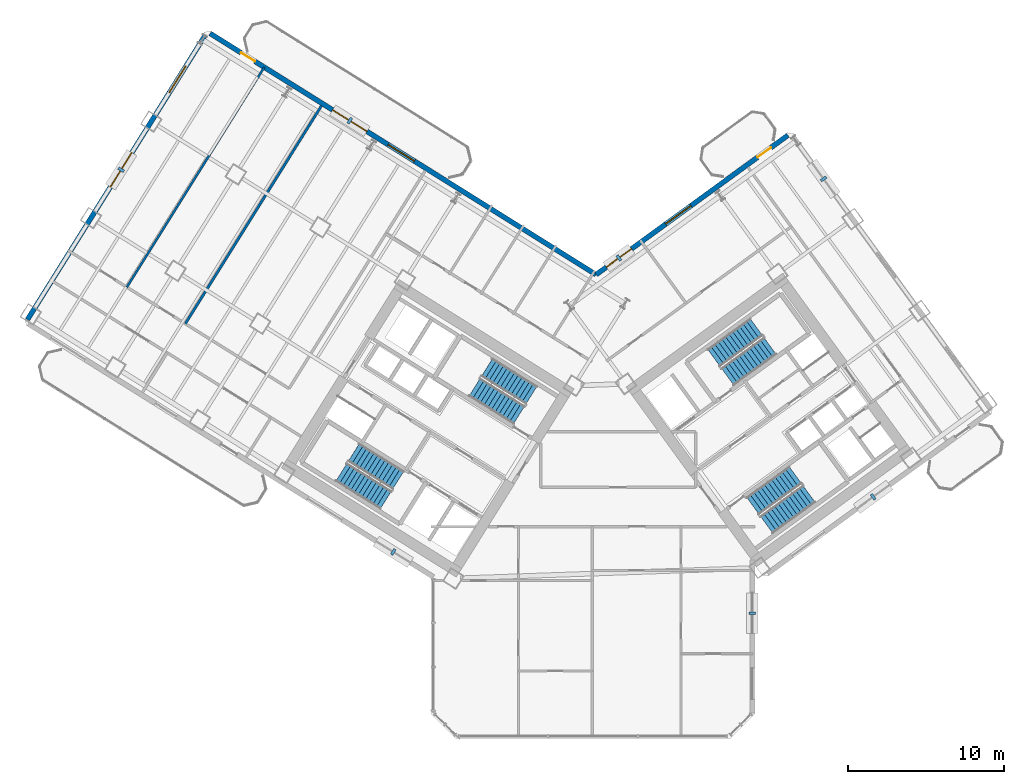
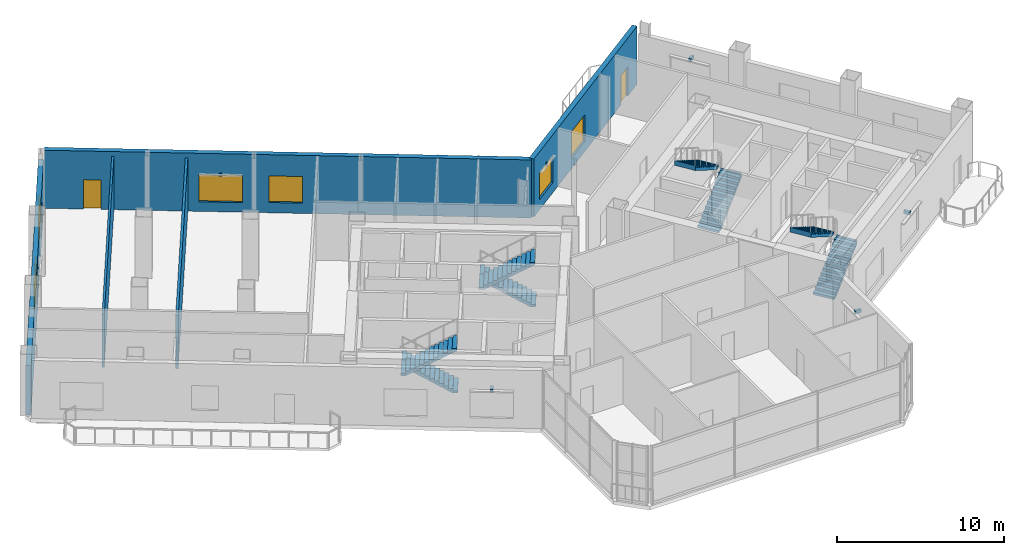
# One storey, part 15 of 19: 8 stair flights, 7 discrete accessories, 6 windows, 5 walls, 2 doors, 8 openings, 4 elements without a shape of their own.
"""IFC4 building model written with IfcOpenShell, lengths in metres."""

from ifc_helpers import new_model, si_unit, direction, frame, frame_2d, origin, origin_2d, place, context, subcontext, project, spatial, polyline, rectangle, outline, extrude, source, transform, mapped, material, layer, layer_set, type_object, element, fill, aggregate, save


model = new_model("IFC4")

# Units and contexts
model_context = context("Model", 3, precision=1e-05, world=origin(), true_north=direction((0.0, 1.0)))
body_context = subcontext(model_context, "Body", "Model", "MODEL_VIEW")
ifc_project = project(units=[si_unit("LENGTHUNIT", "METRE"), si_unit("AREAUNIT", "SQUARE_METRE"), si_unit("VOLUMEUNIT", "CUBIC_METRE"), si_unit("PLANEANGLEUNIT", "RADIAN"), si_unit("MASSUNIT", "GRAM", prefix="KILO")], contexts=[model_context])

# Site, building, storey
site_placement = place(None, origin())
site = spatial("IfcSite", under=ifc_project, at=site_placement, CompositionType="ELEMENT")
building_placement = place(site_placement, origin())
building = spatial("IfcBuilding", under=site, at=building_placement, Name="Tlacorven Tower", CompositionType="ELEMENT")
storey_placement = place(building_placement, frame((0.0, 0.0, 76.5)))
storey = spatial("IfcBuildingStorey", under=building, at=storey_placement, Name="L19", CompositionType="ELEMENT", Elevation=76.5)

# Wall
ifc_material_1 = material(Name="Gypsum plasterboard acoustic partition", Category="gypsum")
ifc_layer_1 = layer(ifc_material_1, 0.159912109375)
ifc_layer_set_1 = layer_set([ifc_layer_1], Name="Gypsum plasterboard acoustic partition")
wall_type_1 = type_object("IfcWallType", Name="WL-DEM-160", PredefinedType="PARTITIONING", material=ifc_layer_set_1)
wall_1_placement = place(storey_placement, frame((24.5771484375, 42.4365234375, 0.0), z_axis=(0.0, 0.0, 1.0), x_axis=(-0.52991514706, -0.848050668838, 0.0)))
element("IfcWall", 1, at=wall_1_placement, inside=storey, type_object=wall_type_1, Name="L19 partition 54", PredefinedType="PARTITIONING", context=body_context, shape_type="SweptSolid", body=[
    extrude(rectangle(XDim=16.5, YDim=0.159912109375, at=frame_2d((8.25, 0.0))), origin(), (0.0, 0.0, 1.0), 3.89501953125),
])

# Wall, openings, windows
ifc_material_2 = material(Name="Precast concrete C45/55", Category="concrete")
ifc_layer_2 = layer(ifc_material_2, 0.320068359375)
ifc_layer_set_2 = layer_set([ifc_layer_2], Name="Precast concrete C45/55")
wall_type_2 = type_object("IfcWallType", Name="WL-EXT-320", PredefinedType="STANDARD", material=ifc_layer_set_2)
wall_2_placement = place(storey_placement, frame((5.699951171875, 28.71044921875, 0.0), z_axis=(0.0, 0.0, 1.0), x_axis=(0.529923711467, 0.8480453172, 0.0)))
wall_2 = element("IfcWall", 2, at=wall_2_placement, inside=storey, type_object=wall_type_2, Name="L19 Masonry-Frame Recessed Facade Wall 2", PredefinedType="STANDARD", context=body_context, shape_type="SweptSolid", body=[
    extrude(rectangle(XDim=21.58740234375, YDim=0.320068359375, at=frame_2d((10.793701171875, 0.0))), origin(), (0.0, 0.0, 1.0), 3.625),
])
opening_1_placement = place(wall_2_placement, frame((10.043701171875, 0.0, 0.699951171875)))
opening_1 = element("IfcOpeningElement", 3, at=opening_1_placement, cuts=wall_2, Name="Opening WN10", PredefinedType="OPENING", context=body_context, shape_type="SweptSolid", body=[
    extrude(rectangle(XDim=2.60009765625, YDim=2.0, at=frame_2d((1.300048828125, 1.0))), frame((0.0, 0.169921875, 0.0), z_axis=(0.0, -1.0, 0.0), x_axis=(1.0, 0.0, 0.0)), (0.0, 0.0, 1.0), 0.340087890625),
])
opening_2_placement = place(wall_2_placement, frame((17.18115234375, 0.0, 0.75)))
opening_2 = element("IfcOpeningElement", 4, at=opening_2_placement, cuts=wall_2, Name="Opening WN11", PredefinedType="OPENING", context=body_context, shape_type="SweptSolid", body=[
    extrude(rectangle(XDim=2.0, YDim=1.949951171875, at=frame_2d((1.0, 0.97509765625))), frame((0.0, 0.169921875, 0.0), z_axis=(0.0, -1.0, 0.0), x_axis=(1.0, 0.0, 0.0)), (0.0, 0.0, 1.0), 0.340087890625),
])
ifc_material_3 = material(Name="Dark solar low-E double glazing in anodised aluminium frame", Category="aluminium")
window_type_1 = type_object("IfcWindowType", Name="WN-COM-2600X2200", PartitioningType="SINGLE_PANEL", PredefinedType="WINDOW", material=ifc_material_3)
shared_shape_1 = source(origin(), body_context, "Body", "SweptSolid", [
    extrude(rectangle(XDim=2.60009765625, YDim=2.0, at=frame_2d((1.300048828125, 1.0))), frame((0.0, 0.030029296875, 0.0), z_axis=(0.0, -1.0, 0.0), x_axis=(1.0, 0.0, 0.0)), (0.0, 0.0, 1.0), 0.06005859375),
])
window_1_placement = place(opening_1_placement, origin())
window_1 = element("IfcWindow", 5, at=window_1_placement, inside=storey, type_object=window_type_1, Name="L19 Recessed Masonry-Frame Window L19-02.1", OverallHeight=2.0, OverallWidth=2.60009765625, PartitioningType="SINGLE_PANEL", PredefinedType="WINDOW", context=body_context, shape_type="MappedRepresentation", body=[
    mapped(shared_shape_1, transform((0.0, 0.0, 0.0), scale=1.0)),
])
fill(opening_1, window_1)
window_type_2 = type_object("IfcWindowType", Name="WN-COM-2000X2100", PartitioningType="SINGLE_PANEL", PredefinedType="WINDOW", material=ifc_material_3)
shared_shape_2 = source(origin(), body_context, "Body", "SweptSolid", [
    extrude(rectangle(XDim=2.0, YDim=1.949951171875, at=frame_2d((1.0, 0.97509765625))), frame((0.0, 0.030029296875, 0.0), z_axis=(0.0, -1.0, 0.0), x_axis=(1.0, 0.0, 0.0)), (0.0, 0.0, 1.0), 0.06005859375),
])
window_2_placement = place(opening_2_placement, origin())
window_2 = element("IfcWindow", 6, at=window_2_placement, inside=storey, type_object=window_type_2, Name="L19 Recessed Masonry-Frame Window L19-02.2", OverallHeight=1.949951171875, OverallWidth=2.0, PartitioningType="SINGLE_PANEL", PredefinedType="WINDOW", context=body_context, shape_type="MappedRepresentation", body=[
    mapped(shared_shape_2, transform((0.0, 0.0, 0.0), scale=1.0)),
])
fill(opening_2, window_2)

# Wall, openings, door, windows
wall_3_placement = place(storey_placement, frame((17.423828125, 47.083251953125, 0.0), z_axis=(0.0, 0.0, 1.0), x_axis=(0.848049927979, -0.529916332693, 0.0)))
wall_3 = element("IfcWall", 7, at=wall_3_placement, inside=storey, type_object=wall_type_2, Name="L19 Masonry-Frame Recessed Facade Wall 3", PredefinedType="STANDARD", context=body_context, shape_type="SweptSolid", body=[
    extrude(rectangle(XDim=29.22314453125, YDim=0.320068359375, at=frame_2d((14.611572265625, 0.0))), origin(), (0.0, 0.0, 1.0), 4.25),
])
opening_3_placement = place(wall_3_placement, frame((2.346923828125, 0.0, 0.0)))
opening_3 = element("IfcOpeningElement", 8, at=opening_3_placement, cuts=wall_3, Name="Opening D06", PredefinedType="OPENING", context=body_context, shape_type="SweptSolid", body=[
    extrude(rectangle(XDim=1.050048828125, YDim=2.14990234375, at=frame_2d((0.52490234375, 1.074951171875))), frame((0.0, 0.169921875, 0.0), z_axis=(0.0, -1.0, 0.0), x_axis=(1.0, 0.0, 0.0)), (0.0, 0.0, 1.0), 0.340087890625),
])
opening_4_placement = place(wall_3_placement, frame((9.276123046875, 0.0, 0.699951171875)))
opening_4 = element("IfcOpeningElement", 9, at=opening_4_placement, cuts=wall_3, Name="Opening WN10", PredefinedType="OPENING", context=body_context, shape_type="SweptSolid", body=[
    extrude(rectangle(XDim=2.60009765625, YDim=2.0, at=frame_2d((1.300048828125, 1.0))), frame((0.0, 0.169921875, 0.0), z_axis=(0.0, -1.0, 0.0), x_axis=(1.0, 0.0, 0.0)), (0.0, 0.0, 1.0), 0.340087890625),
])
opening_5_placement = place(wall_3_placement, frame((13.4736328125, 0.0, 0.75)))
opening_5 = element("IfcOpeningElement", 10, at=opening_5_placement, cuts=wall_3, Name="Opening WN11", PredefinedType="OPENING", context=body_context, shape_type="SweptSolid", body=[
    extrude(rectangle(XDim=2.0, YDim=1.949951171875, at=frame_2d((1.0, 0.97509765625))), frame((0.0, 0.169921875, 0.0), z_axis=(0.0, -1.0, 0.0), x_axis=(1.0, 0.0, 0.0)), (0.0, 0.0, 1.0), 0.340087890625),
])
ifc_material_4 = material(Name="Powder-coated aluminium and timber door", Category="wood")
door_type = type_object("IfcDoorType", Name="DR-EXT-BALC-1050", OperationType="NOTDEFINED", PredefinedType="DOOR", material=ifc_material_4)
shared_shape_3 = source(origin(), body_context, "Body", "SweptSolid", [
    extrude(rectangle(XDim=1.050048828125, YDim=2.14990234375, at=frame_2d((0.52490234375, 1.074951171875))), frame((0.0, 0.02490234375, 0.0), z_axis=(0.0, -1.0, 0.0), x_axis=(1.0, 0.0, 0.0)), (0.0, 0.0, 1.0), 0.050048828125),
])
door_1_placement = place(opening_3_placement, origin())
door_1 = element("IfcDoor", 11, at=door_1_placement, inside=storey, type_object=door_type, Name="L19 Outdoor Access Door BAL-L19-W-IN", OperationType="SINGLE_SWING_RIGHT", OverallHeight=2.14990234375, OverallWidth=1.050048828125, PredefinedType="DOOR", context=body_context, shape_type="MappedRepresentation", body=[
    mapped(shared_shape_3, transform((0.0, 0.0, 0.0), scale=1.0)),
])
fill(opening_3, door_1)
window_3_placement = place(opening_4_placement, origin())
window_3 = element("IfcWindow", 12, at=window_3_placement, inside=storey, type_object=window_type_1, Name="L19 Recessed Masonry-Frame Window L19-03.1", OverallHeight=2.0, OverallWidth=2.60009765625, PartitioningType="SINGLE_PANEL", PredefinedType="WINDOW", context=body_context, shape_type="MappedRepresentation", body=[
    mapped(shared_shape_1, transform((0.0, 0.0, 0.0), scale=1.0)),
])
fill(opening_4, window_3)
window_4_placement = place(opening_5_placement, origin())
window_4 = element("IfcWindow", 13, at=window_4_placement, inside=storey, type_object=window_type_2, Name="L19 Recessed Masonry-Frame Window L19-03.2", OverallHeight=1.949951171875, OverallWidth=2.0, PartitioningType="SINGLE_PANEL", PredefinedType="WINDOW", context=body_context, shape_type="MappedRepresentation", body=[
    mapped(shared_shape_2, transform((0.0, 0.0, 0.0), scale=1.0)),
])
fill(opening_5, window_4)

wall_4_placement = place(storey_placement, frame((42.20654296875, 31.597412109375, 0.0), z_axis=(0.0, 0.0, 1.0), x_axis=(0.809020333377, 0.587780656523, 0.0)))
wall_4 = element("IfcWall", 14, at=wall_4_placement, inside=storey, type_object=wall_type_2, Name="L19 Masonry-Frame Recessed Facade Wall 4", PredefinedType="STANDARD", context=body_context, shape_type="SweptSolid", body=[
    extrude(rectangle(XDim=15.222900390625, YDim=0.320068359375, at=frame_2d((7.611328125, 0.0))), origin(), (0.0, 0.0, 1.0), 4.25),
])
opening_6_placement = place(wall_4_placement, frame((12.81982421875, 0.0, 0.0)))
opening_6 = element("IfcOpeningElement", 15, at=opening_6_placement, cuts=wall_4, Name="Opening D06", PredefinedType="OPENING", context=body_context, shape_type="SweptSolid", body=[
    extrude(rectangle(XDim=1.050048828125, YDim=2.14990234375, at=frame_2d((0.52490234375, 1.074951171875))), frame((0.0, 0.169921875, 0.0), z_axis=(0.0, -1.0, 0.0), x_axis=(1.0, 0.0, 0.0)), (0.0, 0.0, 1.0), 0.340087890625),
])
opening_7_placement = place(wall_4_placement, frame((0.81005859375, 0.0, 0.75)))
opening_7 = element("IfcOpeningElement", 16, at=opening_7_placement, cuts=wall_4, Name="Opening WN11", PredefinedType="OPENING", context=body_context, shape_type="SweptSolid", body=[
    extrude(rectangle(XDim=2.0, YDim=1.949951171875, at=frame_2d((1.0, 0.97509765625))), frame((0.0, 0.169921875, 0.0), z_axis=(0.0, -1.0, 0.0), x_axis=(1.0, 0.0, 0.0)), (0.0, 0.0, 1.0), 0.340087890625),
])
opening_8_placement = place(wall_4_placement, frame((5.5244140625, 0.0, 0.75)))
opening_8 = element("IfcOpeningElement", 17, at=opening_8_placement, cuts=wall_4, Name="Opening WN11", PredefinedType="OPENING", context=body_context, shape_type="SweptSolid", body=[
    extrude(rectangle(XDim=2.0, YDim=1.949951171875, at=frame_2d((1.0, 0.97509765625))), frame((0.0, 0.169921875, 0.0), z_axis=(0.0, -1.0, 0.0), x_axis=(1.0, 0.0, 0.0)), (0.0, 0.0, 1.0), 0.340087890625),
])
door_2_placement = place(opening_6_placement, origin())
door_2 = element("IfcDoor", 18, at=door_2_placement, inside=storey, type_object=door_type, Name="L19 Outdoor Access Door BAL-L19-E-IN", OperationType="SINGLE_SWING_RIGHT", OverallHeight=2.14990234375, OverallWidth=1.050048828125, PredefinedType="DOOR", context=body_context, shape_type="MappedRepresentation", body=[
    mapped(shared_shape_3, transform((0.0, 0.0, 0.0), scale=1.0)),
])
fill(opening_6, door_2)
window_5_placement = place(opening_7_placement, origin())
window_5 = element("IfcWindow", 19, at=window_5_placement, inside=storey, type_object=window_type_2, Name="L19 Recessed Masonry-Frame Window L19-04.1", OverallHeight=1.949951171875, OverallWidth=2.0, PartitioningType="SINGLE_PANEL", PredefinedType="WINDOW", context=body_context, shape_type="MappedRepresentation", body=[
    mapped(shared_shape_2, transform((0.0, 0.0, 0.0), scale=1.0)),
])
fill(opening_7, window_5)
window_6_placement = place(opening_8_placement, origin())
window_6 = element("IfcWindow", 20, at=window_6_placement, inside=storey, type_object=window_type_2, Name="L19 Recessed Masonry-Frame Window L19-04.2", OverallHeight=1.949951171875, OverallWidth=2.0, PartitioningType="SINGLE_PANEL", PredefinedType="WINDOW", context=body_context, shape_type="MappedRepresentation", body=[
    mapped(shared_shape_2, transform((0.0, 0.0, 0.0), scale=1.0)),
])
fill(opening_8, window_6)

# Wall
ifc_material_5 = material(Name="Moisture-resistant gypsum plumbing wall", Category="gypsum")
ifc_layer_3 = layer(ifc_material_5, 0.139892578125)
ifc_layer_set_3 = layer_set([ifc_layer_3], Name="Moisture-resistant gypsum plumbing wall")
wall_type_3 = type_object("IfcWallType", Name="WL-PLM-140", PredefinedType="PLUMBINGWALL", material=ifc_layer_set_3)
wall_5_placement = place(storey_placement, frame((20.90234375, 44.90966796875, 0.0), z_axis=(0.0, 0.0, 1.0), x_axis=(-0.529919856494, -0.848047726071, 0.0)))
element("IfcWall", 21, at=wall_5_placement, inside=storey, type_object=wall_type_3, Name="L19 partition 55", PredefinedType="PLUMBINGWALL", context=body_context, shape_type="SweptSolid", body=[
    extrude(rectangle(XDim=16.650146484375, YDim=0.139892578125, at=frame_2d((8.3251953125, 0.0))), origin(), (0.0, 0.0, 1.0), 3.89501953125),
])

# Stair, stair flights
ifc_material_6 = material(Name="Concrete C40/50", Category="concrete")
stair_type = type_object("IfcStairType", Name="ST-CORE-DLG", PredefinedType="HALF_TURN_STAIR", material=ifc_material_6)
stair_1_placement = place(storey_placement, origin())
stair_1 = element("IfcStair", 22, at=stair_1_placement, inside=storey, type_object=stair_type, Name="L19 Protected Exit Stair West 1", PredefinedType="HALF_TURN_STAIR")
stair_flight_type = type_object("IfcStairFlightType", Name="SFL-RC-1380", PredefinedType="STRAIGHT", material=ifc_material_6)
shared_shape_4 = source(origin(), body_context, "Body", "SweptSolid", [
    extrude(outline(polyline([(-0.0029296875, -0.0029296875), (-0.0029296875, 0.173095703125), (0.280029296875, 0.173095703125), (0.280029296875, 0.34619140625), (0.56005859375, 0.34619140625), (0.56005859375, 0.519287109375), (0.840087890625, 0.519287109375), (0.840087890625, 0.6923828125), (1.1201171875, 0.6923828125), (1.1201171875, 0.865478515625), (1.39990234375, 0.865478515625), (1.39990234375, 1.03857421875), (1.679931640625, 1.03857421875), (1.679931640625, 1.21142578125), (1.9599609375, 1.21142578125), (1.9599609375, 1.384521484375), (2.239990234375, 1.384521484375), (2.239990234375, 1.5576171875), (2.52001953125, 1.5576171875), (2.52001953125, 1.730712890625), (2.800048828125, 1.730712890625), (2.800048828125, 1.90380859375), (3.080078125, 1.90380859375), (3.080078125, 2.076904296875), (3.360107421875, 2.076904296875), (3.360107421875, 2.25), (3.363037109375, 2.25), (3.363037109375, 1.888916015625), (3.360107421875, 1.888916015625), (0.30419921875, 0.0), (0.30419921875, -0.0029296875), (-0.0029296875, -0.0029296875)])), frame((0.0, 0.68994140625, 0.0), z_axis=(0.0, -1.0, 0.0), x_axis=(1.0, 0.0, 0.0)), (0.0, 0.0, 1.0), 1.3798828125),
])
stair_flight_1_placement = place(storey_placement, frame((29.499755859375, 18.39453125, 0.0), z_axis=(0.0, 0.0, 1.0), x_axis=(-0.848048096156, 0.529919264233, 0.0)))
stair_flight_1 = element("IfcStairFlight", 23, at=stair_flight_1_placement, type_object=stair_flight_type, Name="ST-W1 flight 1", NumberOfRisers=13, NumberOfTreads=12, PredefinedType="STRAIGHT", RiserHeight=0.173076923, TreadLength=0.28, context=body_context, shape_type="MappedRepresentation", body=[
    mapped(shared_shape_4, transform((0.0, 0.0, 0.0), scale=1.0)),
])
stair_flight_2_placement = place(storey_placement, frame((25.85546875, 18.903076171875, 2.25), z_axis=(0.0, 0.0, 1.0), x_axis=(0.848048096156, -0.529919264233, 0.0)))
stair_flight_2 = element("IfcStairFlight", 24, at=stair_flight_2_placement, type_object=stair_flight_type, Name="ST-W1 flight 2", NumberOfRisers=13, NumberOfTreads=12, PredefinedType="STRAIGHT", RiserHeight=0.173076923, TreadLength=0.28, context=body_context, shape_type="MappedRepresentation", body=[
    mapped(shared_shape_4, transform((0.0, 0.0, 0.0), scale=1.0)),
])
aggregate(stair_1, [stair_flight_1, stair_flight_2])

stair_2_placement = place(storey_placement, origin())
stair_2 = element("IfcStair", 25, at=stair_2_placement, inside=storey, type_object=stair_type, Name="L19 Protected Exit Stair West 2", PredefinedType="HALF_TURN_STAIR")
stair_flight_3_placement = place(storey_placement, frame((38.051513671875, 23.852294921875, 0.0), z_axis=(0.0, 0.0, 1.0), x_axis=(-0.848048096156, 0.529919264233, 0.0)))
stair_flight_3 = element("IfcStairFlight", 26, at=stair_flight_3_placement, type_object=stair_flight_type, Name="ST-W2 flight 1", NumberOfRisers=13, NumberOfTreads=12, PredefinedType="STRAIGHT", RiserHeight=0.173076923, TreadLength=0.28, context=body_context, shape_type="MappedRepresentation", body=[
    mapped(shared_shape_4, transform((0.0, 0.0, 0.0), scale=1.0)),
])
stair_flight_4_placement = place(storey_placement, frame((34.406982421875, 24.36083984375, 2.25), z_axis=(0.0, 0.0, 1.0), x_axis=(0.848048096156, -0.529919264233, 0.0)))
stair_flight_4 = element("IfcStairFlight", 27, at=stair_flight_4_placement, type_object=stair_flight_type, Name="ST-W2 flight 2", NumberOfRisers=13, NumberOfTreads=12, PredefinedType="STRAIGHT", RiserHeight=0.173076923, TreadLength=0.28, context=body_context, shape_type="MappedRepresentation", body=[
    mapped(shared_shape_4, transform((0.0, 0.0, 0.0), scale=1.0)),
])
aggregate(stair_2, [stair_flight_3, stair_flight_4])

stair_3_placement = place(storey_placement, origin())
stair_3 = element("IfcStair", 28, at=stair_3_placement, inside=storey, type_object=stair_type, Name="L19 Protected Exit Stair East 1", PredefinedType="HALF_TURN_STAIR")
stair_flight_5_placement = place(storey_placement, frame((50.6533203125, 25.0400390625, 0.0), z_axis=(0.0, 0.0, 1.0), x_axis=(0.809016994375, 0.587785252292, 0.0)))
stair_flight_5 = element("IfcStairFlight", 29, at=stair_flight_5_placement, type_object=stair_flight_type, Name="ST-E1 flight 1", NumberOfRisers=13, NumberOfTreads=12, PredefinedType="STRAIGHT", RiserHeight=0.173076923, TreadLength=0.28, context=body_context, shape_type="MappedRepresentation", body=[
    mapped(shared_shape_4, transform((0.0, 0.0, 0.0), scale=1.0)),
])
stair_flight_6_placement = place(storey_placement, frame((52.489990234375, 28.228515625, 2.25), z_axis=(0.0, 0.0, 1.0), x_axis=(-0.809016994375, -0.587785252292, 0.0)))
stair_flight_6 = element("IfcStairFlight", 30, at=stair_flight_6_placement, type_object=stair_flight_type, Name="ST-E1 flight 2", NumberOfRisers=13, NumberOfTreads=12, PredefinedType="STRAIGHT", RiserHeight=0.173076923, TreadLength=0.28, context=body_context, shape_type="MappedRepresentation", body=[
    mapped(shared_shape_4, transform((0.0, 0.0, 0.0), scale=1.0)),
])
aggregate(stair_3, [stair_flight_5, stair_flight_6])

stair_4_placement = place(storey_placement, origin())
stair_4 = element("IfcStair", 31, at=stair_4_placement, inside=storey, type_object=stair_type, Name="L19 Protected Exit Stair East 2", PredefinedType="HALF_TURN_STAIR")
stair_flight_7_placement = place(storey_placement, frame((53.157470703125, 15.536865234375, 0.0), z_axis=(0.0, 0.0, 1.0), x_axis=(0.809016994375, 0.587785252292, 0.0)))
stair_flight_7 = element("IfcStairFlight", 32, at=stair_flight_7_placement, type_object=stair_flight_type, Name="ST-E2 flight 1", NumberOfRisers=13, NumberOfTreads=12, PredefinedType="STRAIGHT", RiserHeight=0.173076923, TreadLength=0.28, context=body_context, shape_type="MappedRepresentation", body=[
    mapped(shared_shape_4, transform((0.0, 0.0, 0.0), scale=1.0)),
])
stair_flight_8_placement = place(storey_placement, frame((54.994140625, 18.725341796875, 2.25), z_axis=(0.0, 0.0, 1.0), x_axis=(-0.809016994375, -0.587785252292, 0.0)))
stair_flight_8 = element("IfcStairFlight", 33, at=stair_flight_8_placement, type_object=stair_flight_type, Name="ST-E2 flight 2", NumberOfRisers=13, NumberOfTreads=12, PredefinedType="STRAIGHT", RiserHeight=0.173076923, TreadLength=0.28, context=body_context, shape_type="MappedRepresentation", body=[
    mapped(shared_shape_4, transform((0.0, 0.0, 0.0), scale=1.0)),
])
aggregate(stair_4, [stair_flight_7, stair_flight_8])

# Discrete accessories
ifc_material_7 = material(Name="Steel S355J2", Category="steel")
discrete_accessory_type = type_object("IfcDiscreteAccessoryType", Name="ACC-BRK-01", PredefinedType="BRACKET", material=ifc_material_7)
shared_shape_5 = source(origin(), body_context, "Body", "SweptSolid", [
    extrude(rectangle(XDim=0.179931640625, YDim=0.419921875, at=origin_2d()), origin(), (0.0, 0.0, 1.0), 0.219970703125),
])
for number, where, z_axis, x_axis, name in (
    (34, (29.182373046875, 13.793701171875, 2.6298828125), (0.0, 0.0, 1.0), (-0.848048152806, 0.529919173576, 0.0), "L19 Sunshade Bracket L19-01.1"),
    (35, (11.711181640625, 38.330322265625, 2.6298828125), (0.0, 0.0, 1.0), (0.529919147866, 0.848048168871, 0.0), "L19 Sunshade Bracket L19-02.1"),
    (36, (26.392822265625, 41.478759765625, 2.6298828125), (0.0, 0.0, 1.0), (0.848048220257, -0.52991906563, 0.0), "L19 Sunshade Bracket L19-03.1"),
    (37, (43.6708984375, 32.661376953125, 2.6298828125), (0.0, 0.0, 1.0), (0.809016703631, 0.587785652468, 0.0), "L19 Sunshade Bracket L19-04.1"),
    (38, (56.8125, 37.743896484375, 2.6298828125), (0.0, 0.0, 1.0), (0.587785363163, -0.809016913823, 0.0), "L19 Sunshade Bracket L19-05.1"),
    (39, (59.995361328125, 17.328369140625, 2.6298828125), (0.0, 0.0, 1.0), (-0.809016829126, -0.587785479738, 0.0), "L19 Sunshade Bracket L19-06.1"),
    (40, (52.239990234375, 9.861572265625, 2.6298828125), (0.0, 0.0, 1.0), (0.0, -1.0, 0.0), "L19 Sunshade Bracket L19-07.1"),
):
    element("IfcDiscreteAccessory", number, at=place(storey_placement, frame(where, z_axis=z_axis, x_axis=x_axis)), inside=storey, type_object=discrete_accessory_type, Name=name, PredefinedType="BRACKET", context=body_context, shape_type="MappedRepresentation", body=[
        mapped(shared_shape_5, transform((0.0, 0.0, 0.0), scale=1.0)),
    ])

save(model, "model.ifc")
